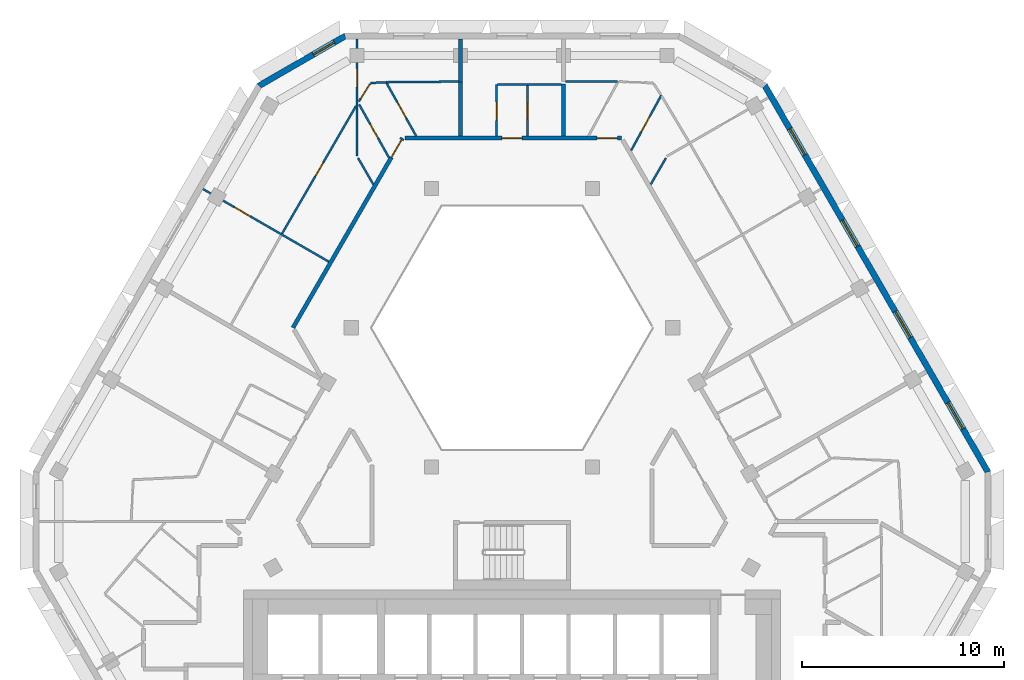
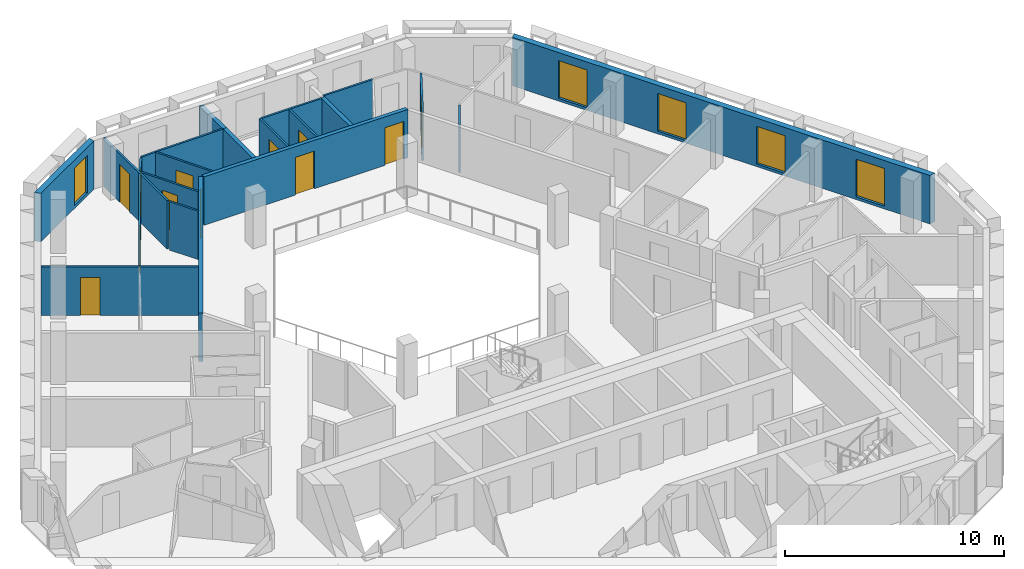
# One storey, part 7 of 15: 22 walls, 12 doors, 5 windows, 17 openings.
"""IFC4 building model written with IfcOpenShell, lengths in metres."""

from ifc_helpers import new_model, si_unit, direction, frame, frame_2d, origin, place, context, subcontext, project, spatial, polyline, rectangle, outline, extrude, material, layer, layer_set, type_object, element, fill, save


model = new_model("IFC4")

# Units and contexts
model_context = context("Model", 3, precision=1e-05, world=origin(), true_north=direction((0.0, 1.0)))
body_context = subcontext(model_context, "Body", "Model", "MODEL_VIEW")
ifc_project = project(units=[si_unit("LENGTHUNIT", "METRE"), si_unit("AREAUNIT", "SQUARE_METRE"), si_unit("VOLUMEUNIT", "CUBIC_METRE"), si_unit("PLANEANGLEUNIT", "RADIAN"), si_unit("MASSUNIT", "GRAM", prefix="KILO")], contexts=[model_context])

# Site, building, storey
site_placement = place(None, origin())
site = spatial("IfcSite", under=ifc_project, at=site_placement, CompositionType="ELEMENT")
building_placement = place(site_placement, origin())
building = spatial("IfcBuilding", under=site, at=building_placement, Name="Beryl Residences", CompositionType="ELEMENT")
storey_placement = place(building_placement, frame((0.0, 0.0, 205.800048828125)))
storey = spatial("IfcBuildingStorey", under=building, at=storey_placement, Name="L63", CompositionType="ELEMENT", Elevation=205.800048828125)

# Wall, opening, window
ifc_material_1 = material(Name="Composite metal panel with mineral wool insulation")
ifc_layer_1 = layer(ifc_material_1, 0.300048828125)
ifc_layer_set_1 = layer_set([ifc_layer_1], Name="ES1 pale metal composite panel wall 300 mm")
wall_type_1 = type_object("IfcWallType", Name="ES1 pale metal composite panel wall 300 mm", PredefinedType="SOLIDWALL", material=ifc_layer_set_1)
wall_1_placement = place(storey_placement, frame((-8.239013671875, 22.469970703125, 0.0), z_axis=(0.0, 0.0, 1.0), x_axis=(-0.866022959057, -0.500004234368, 0.0)))
wall_1 = element("IfcWall", 1, at=wall_1_placement, inside=storey, type_object=wall_type_1, Name="ES1 external wall L63 N-NW", PredefinedType="SOLIDWALL", context=body_context, shape_type="SweptSolid", body=[
    extrude(outline(polyline([(0.0, -0.14990234375), (5.0, -0.14990234375), (4.919677734375, 0.14990234375), (0.080322265625, 0.14990234375), (0.0, -0.14990234375)])), origin(), (0.0, 0.0, 1.0), 2.699951171875),
])
opening_1_placement = place(wall_1_placement, frame((0.64990234375, 0.0, 0.14990234375)))
opening_1 = element("IfcOpeningElement", 2, at=opening_1_placement, cuts=wall_1, Name="Opening W2", PredefinedType="OPENING", context=body_context, shape_type="SweptSolid", body=[
    extrude(rectangle(XDim=1.199951171875, YDim=2.10009765625, at=frame_2d((0.60009765625, 1.050048828125))), frame((0.0, 0.159912109375, 0.0), z_axis=(0.0, -1.0, 0.0), x_axis=(1.0, 0.0, 0.0)), (0.0, 0.0, 1.0), 0.320068359375),
])
ifc_material_2 = material(Name="Aluminium and clear glass", Category="aluminium")
window_type_1 = type_object("IfcWindowType", Name="W2 chamfer window 1200 x 2100 mm", PartitioningType="SINGLE_PANEL", PredefinedType="WINDOW", material=ifc_material_2)
window_1_placement = place(opening_1_placement, origin())
window_1 = element("IfcWindow", 3, at=window_1_placement, inside=storey, type_object=window_type_1, Name="W2 window L63 N-NW 1", OverallHeight=2.10009765625, OverallWidth=1.199951171875, PartitioningType="SINGLE_PANEL", PredefinedType="WINDOW", context=body_context, shape_type="SweptSolid", body=[
    extrude(rectangle(XDim=1.199951171875, YDim=2.10009765625, at=frame_2d((0.60009765625, 1.050048828125))), frame((0.0, 0.030029296875, 0.0), z_axis=(0.0, -1.0, 0.0), x_axis=(1.0, 0.0, 0.0)), (0.0, 0.0, 1.0), 0.06005859375),
])
fill(opening_1, window_1)

# Wall, openings, windows
wall_2_placement = place(storey_placement, frame((23.59912109375, 0.824951171875, 0.0), z_axis=(0.0, 0.0, 1.0), x_axis=(-0.500003656944, 0.866023292436, 0.0)))
wall_2 = element("IfcWall", 4, at=wall_2_placement, inside=storey, type_object=wall_type_1, Name="ES1 external wall L63 NE", PredefinedType="SOLIDWALL", context=body_context, shape_type="SweptSolid", body=[
    extrude(outline(polyline([(0.0, -0.14990234375), (22.170166015625, -0.14990234375), (22.08984375, 0.14990234375), (0.080322265625, 0.14990234375), (0.0, -0.14990234375)])), origin(), (0.0, 0.0, 1.0), 2.699951171875),
])
opening_2_placement = place(wall_2_placement, frame((2.4970703125, 0.0, 0.14990234375)))
opening_2 = element("IfcOpeningElement", 5, at=opening_2_placement, cuts=wall_2, Name="Opening W1", PredefinedType="OPENING", context=body_context, shape_type="SweptSolid", body=[
    extrude(rectangle(XDim=1.5, YDim=2.10009765625, at=frame_2d((0.75, 1.050048828125))), frame((0.0, 0.159912109375, 0.0), z_axis=(0.0, -1.0, 0.0), x_axis=(1.0, 0.0, 0.0)), (0.0, 0.0, 1.0), 0.320068359375),
])
opening_3_placement = place(wall_2_placement, frame((7.722900390625, 0.0, 0.14990234375)))
opening_3 = element("IfcOpeningElement", 6, at=opening_3_placement, cuts=wall_2, Name="Opening W1", PredefinedType="OPENING", context=body_context, shape_type="SweptSolid", body=[
    extrude(rectangle(XDim=1.5, YDim=2.10009765625, at=frame_2d((0.75, 1.050048828125))), frame((0.0, 0.159912109375, 0.0), z_axis=(0.0, -1.0, 0.0), x_axis=(1.0, 0.0, 0.0)), (0.0, 0.0, 1.0), 0.320068359375),
])
opening_4_placement = place(wall_2_placement, frame((12.947998046875, 0.0, 0.14990234375)))
opening_4 = element("IfcOpeningElement", 7, at=opening_4_placement, cuts=wall_2, Name="Opening W1", PredefinedType="OPENING", context=body_context, shape_type="SweptSolid", body=[
    extrude(rectangle(XDim=1.5, YDim=2.10009765625, at=frame_2d((0.75, 1.050048828125))), frame((0.0, 0.159912109375, 0.0), z_axis=(0.0, -1.0, 0.0), x_axis=(1.0, 0.0, 0.0)), (0.0, 0.0, 1.0), 0.320068359375),
])
opening_5_placement = place(wall_2_placement, frame((18.173095703125, 0.0, 0.14990234375)))
opening_5 = element("IfcOpeningElement", 8, at=opening_5_placement, cuts=wall_2, Name="Opening W1", PredefinedType="OPENING", context=body_context, shape_type="SweptSolid", body=[
    extrude(rectangle(XDim=1.5, YDim=2.10009765625, at=frame_2d((0.75, 1.050048828125))), frame((0.0, 0.159912109375, 0.0), z_axis=(0.0, -1.0, 0.0), x_axis=(1.0, 0.0, 0.0)), (0.0, 0.0, 1.0), 0.320068359375),
])
ifc_material_3 = material(Name="Aluminium and clear glass", Category="aluminium")
window_type_2 = type_object("IfcWindowType", Name="W1 cell window 1500 x 2100 mm", PartitioningType="SINGLE_PANEL", PredefinedType="WINDOW", material=ifc_material_3)
window_2_placement = place(opening_2_placement, origin())
window_2 = element("IfcWindow", 9, at=window_2_placement, inside=storey, type_object=window_type_2, Name="W1 window L63 NE 2", OverallHeight=2.10009765625, OverallWidth=1.5, PartitioningType="SINGLE_PANEL", PredefinedType="WINDOW", context=body_context, shape_type="SweptSolid", body=[
    extrude(rectangle(XDim=1.5, YDim=2.10009765625, at=frame_2d((0.75, 1.050048828125))), frame((0.0, 0.030029296875, 0.0), z_axis=(0.0, -1.0, 0.0), x_axis=(1.0, 0.0, 0.0)), (0.0, 0.0, 1.0), 0.06005859375),
])
fill(opening_2, window_2)
window_3_placement = place(opening_3_placement, origin())
window_3 = element("IfcWindow", 10, at=window_3_placement, inside=storey, type_object=window_type_2, Name="W1 window L63 NE 4", OverallHeight=2.10009765625, OverallWidth=1.5, PartitioningType="SINGLE_PANEL", PredefinedType="WINDOW", context=body_context, shape_type="SweptSolid", body=[
    extrude(rectangle(XDim=1.5, YDim=2.10009765625, at=frame_2d((0.75, 1.050048828125))), frame((0.0, 0.030029296875, 0.0), z_axis=(0.0, -1.0, 0.0), x_axis=(1.0, 0.0, 0.0)), (0.0, 0.0, 1.0), 0.06005859375),
])
fill(opening_3, window_3)
window_4_placement = place(opening_4_placement, origin())
window_4 = element("IfcWindow", 11, at=window_4_placement, inside=storey, type_object=window_type_2, Name="W1 window L63 NE 6", OverallHeight=2.10009765625, OverallWidth=1.5, PartitioningType="SINGLE_PANEL", PredefinedType="WINDOW", context=body_context, shape_type="SweptSolid", body=[
    extrude(rectangle(XDim=1.5, YDim=2.10009765625, at=frame_2d((0.75, 1.050048828125))), frame((0.0, 0.030029296875, 0.0), z_axis=(0.0, -1.0, 0.0), x_axis=(1.0, 0.0, 0.0)), (0.0, 0.0, 1.0), 0.06005859375),
])
fill(opening_4, window_4)
window_5_placement = place(opening_5_placement, origin())
window_5 = element("IfcWindow", 12, at=window_5_placement, inside=storey, type_object=window_type_2, Name="W1 window L63 NE 8", OverallHeight=2.10009765625, OverallWidth=1.5, PartitioningType="SINGLE_PANEL", PredefinedType="WINDOW", context=body_context, shape_type="SweptSolid", body=[
    extrude(rectangle(XDim=1.5, YDim=2.10009765625, at=frame_2d((0.75, 1.050048828125))), frame((0.0, 0.030029296875, 0.0), z_axis=(0.0, -1.0, 0.0), x_axis=(1.0, 0.0, 0.0)), (0.0, 0.0, 1.0), 0.06005859375),
])
fill(opening_5, window_5)

# Wall
ifc_material_4 = material(Name="Gypsum board partition on steel studs", Category="steel")
ifc_layer_2 = layer(ifc_material_4, 0.10009765625)
ifc_layer_set_2 = layer_set([ifc_layer_2], Name="PT1 partition 100 mm gypsum board on steel studs")
wall_type_2 = type_object("IfcWallType", Name="PT1 partition 100 mm gypsum board on steel studs", PredefinedType="PARTITIONING", material=ifc_layer_set_2)
wall_3_placement = place(storey_placement, frame((-7.6279296875, 16.412109375, 0.0), z_axis=(0.0, 0.0, 1.0), x_axis=(0.500159472144, -0.86593331292, 0.0)))
element("IfcWall", 13, at=wall_3_placement, inside=storey, type_object=wall_type_2, Name="Wall PT1 L63 006", PredefinedType="PARTITIONING", context=body_context, shape_type="SweptSolid", body=[
    extrude(rectangle(XDim=1.51513671875, YDim=0.10009765625, at=frame_2d((0.757568359375, 0.0))), origin(), (0.0, 0.0, 1.0), 2.699951171875),
])

# Wall, opening, door
wall_4_placement = place(storey_placement, frame((-6.2109375, 20.114990234375, 0.0), z_axis=(0.0, 0.0, 1.0), x_axis=(0.488221234931, -0.872719901092, 0.0)))
wall_4 = element("IfcWall", 14, at=wall_4_placement, inside=storey, type_object=wall_type_2, Name="Wall PT1 L63 009", PredefinedType="PARTITIONING", context=body_context, shape_type="SweptSolid", body=[
    extrude(rectangle(XDim=2.996337890625, YDim=0.10009765625, at=frame_2d((1.498046875, 0.0))), origin(), (0.0, 0.0, 1.0), 2.699951171875),
])
opening_6_placement = place(wall_4_placement, frame((1.076904296875, 0.0, 0.0)))
opening_6 = element("IfcOpeningElement", 15, at=opening_6_placement, cuts=wall_4, Name="Opening D2114", PredefinedType="OPENING", context=body_context, shape_type="SweptSolid", body=[
    extrude(rectangle(XDim=0.89990234375, YDim=2.10009765625, at=frame_2d((0.449951171875, 1.050048828125))), frame((0.0, 0.06005859375, 0.0), z_axis=(0.0, -1.0, 0.0), x_axis=(1.0, 0.0, 0.0)), (0.0, 0.0, 1.0), 0.1201171875),
])
ifc_material_5 = material(Name="Timber door leaf", Category="wood")
door_type_1 = type_object("IfcDoorType", Name="D2 room door 900 x 2100 mm", OperationType="SINGLE_SWING_LEFT", PredefinedType="DOOR", material=ifc_material_5)
door_1_placement = place(opening_6_placement, origin())
door_1 = element("IfcDoor", 16, at=door_1_placement, inside=storey, type_object=door_type_1, Name="Door D2114 L63 001", OperationType="SINGLE_SWING_RIGHT", OverallHeight=2.10009765625, OverallWidth=0.89990234375, PredefinedType="DOOR", context=body_context, shape_type="SweptSolid", body=[
    extrude(rectangle(XDim=0.89990234375, YDim=2.10009765625, at=frame_2d((0.449951171875, 1.050048828125))), frame((0.0, 0.02490234375, 0.0), z_axis=(0.0, -1.0, 0.0), x_axis=(1.0, 0.0, 0.0)), (0.0, 0.0, 1.0), 0.050048828125),
])
fill(opening_6, door_1)

wall_5_placement = place(storey_placement, frame((-7.574951171875, 19.070068359375, 0.0), z_axis=(0.0, 0.0, 1.0), x_axis=(0.488413788688, -0.872612153834, 0.0)))
wall_5 = element("IfcWall", 17, at=wall_5_placement, inside=storey, type_object=wall_type_2, Name="Wall PT1 L63 010", PredefinedType="PARTITIONING", context=body_context, shape_type="SweptSolid", body=[
    extrude(rectangle(XDim=3.019775390625, YDim=0.10009765625, at=frame_2d((1.509765625, 0.0))), origin(), (0.0, 0.0, 1.0), 2.699951171875),
])
opening_7_placement = place(wall_5_placement, frame((1.116943359375, 0.0, 0.0)))
opening_7 = element("IfcOpeningElement", 18, at=opening_7_placement, cuts=wall_5, Name="Opening D2113", PredefinedType="OPENING", context=body_context, shape_type="SweptSolid", body=[
    extrude(rectangle(XDim=0.800048828125, YDim=2.10009765625, at=frame_2d((0.39990234375, 1.050048828125))), frame((0.0, 0.06005859375, 0.0), z_axis=(0.0, -1.0, 0.0), x_axis=(1.0, 0.0, 0.0)), (0.0, 0.0, 1.0), 0.1201171875),
])
ifc_material_6 = material(Name="Timber door leaf", Category="wood")
door_type_2 = type_object("IfcDoorType", Name="D3 bathroom door 800 x 2100 mm", OperationType="SINGLE_SWING_LEFT", PredefinedType="DOOR", material=ifc_material_6)
door_2_placement = place(opening_7_placement, origin())
door_2 = element("IfcDoor", 19, at=door_2_placement, inside=storey, type_object=door_type_2, Name="Door D2113 L63 001", OperationType="SINGLE_SWING_LEFT", OverallHeight=2.10009765625, OverallWidth=0.800048828125, PredefinedType="DOOR", context=body_context, shape_type="SweptSolid", body=[
    extrude(rectangle(XDim=0.800048828125, YDim=2.10009765625, at=frame_2d((0.39990234375, 1.050048828125))), frame((0.0, 0.02490234375, 0.0), z_axis=(0.0, -1.0, 0.0), x_axis=(1.0, 0.0, 0.0)), (0.0, 0.0, 1.0), 0.050048828125),
])
fill(opening_7, door_2)

wall_6_placement = place(storey_placement, frame((-15.31396484375, 14.875, 0.0), z_axis=(0.0, 0.0, 1.0), x_axis=(0.866001485781, -0.500041424909, 0.0)))
wall_6 = element("IfcWall", 20, at=wall_6_placement, inside=storey, type_object=wall_type_2, Name="Wall PT1 L63 018", PredefinedType="PARTITIONING", context=body_context, shape_type="SweptSolid", body=[
    extrude(rectangle(XDim=7.19970703125, YDim=0.10009765625, at=frame_2d((3.599853515625, 0.0))), origin(), (0.0, 0.0, 1.0), 2.699951171875),
])
opening_8_placement = place(wall_6_placement, frame((1.800048828125, 0.0, 0.0)))
opening_8 = element("IfcOpeningElement", 21, at=opening_8_placement, cuts=wall_6, Name="Opening D2117", PredefinedType="OPENING", context=body_context, shape_type="SweptSolid", body=[
    extrude(rectangle(XDim=0.89990234375, YDim=2.10009765625, at=frame_2d((0.449951171875, 1.050048828125))), frame((0.0, 0.06005859375, 0.0), z_axis=(0.0, -1.0, 0.0), x_axis=(1.0, 0.0, 0.0)), (0.0, 0.0, 1.0), 0.1201171875),
])
door_3_placement = place(opening_8_placement, origin())
door_3 = element("IfcDoor", 22, at=door_3_placement, inside=storey, type_object=door_type_1, Name="Door D2117 L63 001", OperationType="SINGLE_SWING_LEFT", OverallHeight=2.10009765625, OverallWidth=0.89990234375, PredefinedType="DOOR", context=body_context, shape_type="SweptSolid", body=[
    extrude(rectangle(XDim=0.89990234375, YDim=2.10009765625, at=frame_2d((0.449951171875, 1.050048828125))), frame((0.0, 0.02490234375, 0.0), z_axis=(0.0, -1.0, 0.0), x_axis=(1.0, 0.0, 0.0)), (0.0, 0.0, 1.0), 0.050048828125),
])
fill(opening_8, door_3)

# Walls
wall_7_placement = place(storey_placement, frame((-0.716064453125, 20.06005859375, 0.0), z_axis=(0.0, 0.0, 1.0), x_axis=(1.0, 0.0, 0.0)))
element("IfcWall", 23, at=wall_7_placement, inside=storey, type_object=wall_type_2, Name="Wall PT1 L63 023", PredefinedType="PARTITIONING", context=body_context, shape_type="SweptSolid", body=[
    extrude(rectangle(XDim=3.176025390625, YDim=0.10009765625, at=frame_2d((1.587890625, 0.0))), origin(), (0.0, 0.0, 1.0), 2.699951171875),
])
wall_8_placement = place(storey_placement, frame((2.659912109375, 20.199951171875, 0.0), z_axis=(0.0, 0.0, 1.0), x_axis=(1.0, 0.0, 0.0)))
element("IfcWall", 24, at=wall_8_placement, inside=storey, type_object=wall_type_2, Name="Wall PT1 L63 024", PredefinedType="PARTITIONING", context=body_context, shape_type="SweptSolid", body=[
    extrude(rectangle(XDim=2.564208984375, YDim=0.10009765625, at=frame_2d((1.2822265625, 0.0))), origin(), (0.0, 0.0, 1.0), 2.699951171875),
])
wall_9_placement = place(storey_placement, frame((-6.259033203125, 20.1640625, 0.0), z_axis=(0.0, 0.0, 1.0), x_axis=(0.999952982126, 0.009697089139, 0.0)))
element("IfcWall", 25, at=wall_9_placement, inside=storey, type_object=wall_type_2, Name="Wall PT1 L63 025", PredefinedType="PARTITIONING", context=body_context, shape_type="SweptSolid", body=[
    extrude(rectangle(XDim=3.600341796875, YDim=0.10009765625, at=frame_2d((1.80029296875, 0.0))), origin(), (0.0, 0.0, 1.0), 2.699951171875),
])

# Wall, opening, door
wall_10_placement = place(storey_placement, frame((-7.5869140625, 19.218017578125, 0.0), z_axis=(0.0, 0.0, 1.0), x_axis=(0.54066090195, 0.841240624972, 0.0)))
wall_10 = element("IfcWall", 26, at=wall_10_placement, inside=storey, type_object=wall_type_2, Name="Wall PT1 L63 027", PredefinedType="PARTITIONING", context=body_context, shape_type="SweptSolid", body=[
    extrude(rectangle(XDim=1.02099609375, YDim=0.10009765625, at=frame_2d((0.510498046875, 0.0))), origin(), (0.0, 0.0, 1.0), 2.699951171875),
])
opening_9_placement = place(wall_10_placement, frame((0.180908203125, 0.0, 0.0)))
opening_9 = element("IfcOpeningElement", 27, at=opening_9_placement, cuts=wall_10, Name="Opening D2115", PredefinedType="OPENING", context=body_context, shape_type="SweptSolid", body=[
    extrude(rectangle(XDim=0.800048828125, YDim=2.10009765625, at=frame_2d((0.39990234375, 1.050048828125))), frame((0.0, 0.06005859375, 0.0), z_axis=(0.0, -1.0, 0.0), x_axis=(1.0, 0.0, 0.0)), (0.0, 0.0, 1.0), 0.1201171875),
])
ifc_material_7 = material(Name="Timber door leaf", Category="wood")
door_type_3 = type_object("IfcDoorType", Name="D13 room door 800 x 2100 mm", OperationType="SINGLE_SWING_LEFT", PredefinedType="DOOR", material=ifc_material_7)
door_4_placement = place(opening_9_placement, origin())
door_4 = element("IfcDoor", 28, at=door_4_placement, inside=storey, type_object=door_type_3, Name="Door D2115 L63 001", OperationType="SINGLE_SWING_LEFT", OverallHeight=2.10009765625, OverallWidth=0.800048828125, PredefinedType="DOOR", context=body_context, shape_type="SweptSolid", body=[
    extrude(rectangle(XDim=0.800048828125, YDim=2.10009765625, at=frame_2d((0.39990234375, 1.050048828125))), frame((0.0, 0.02490234375, 0.0), z_axis=(0.0, -1.0, 0.0), x_axis=(1.0, 0.0, 0.0)), (0.0, 0.0, 1.0), 0.050048828125),
])
fill(opening_9, door_4)

# Wall
wall_11_placement = place(storey_placement, frame((6.87109375, 15.10009765625, 0.0), z_axis=(0.0, 0.0, 1.0), x_axis=(0.499805980977, 0.866137391745, 0.0)))
element("IfcWall", 29, at=wall_11_placement, inside=storey, type_object=wall_type_2, Name="Wall PT1 L63 029", PredefinedType="PARTITIONING", context=body_context, shape_type="SweptSolid", body=[
    extrude(rectangle(XDim=1.51806640625, YDim=0.10009765625, at=frame_2d((0.759033203125, 0.0))), origin(), (0.0, 0.0, 1.0), 2.699951171875),
])

# Wall, opening, door
wall_12_placement = place(storey_placement, frame((-11.39208984375, 12.66796875, 0.0), z_axis=(0.0, 0.0, 1.0), x_axis=(0.501440551074, 0.865192102217, 0.0)))
wall_12 = element("IfcWall", 30, at=wall_12_placement, inside=storey, type_object=wall_type_2, Name="Wall PT1 L63 030", PredefinedType="PARTITIONING", context=body_context, shape_type="SweptSolid", body=[
    extrude(rectangle(XDim=7.30712890625, YDim=0.10009765625, at=frame_2d((3.653564453125, 0.0))), origin(), (0.0, 0.0, 1.0), 2.699951171875),
])
opening_10_placement = place(wall_12_placement, frame((3.278076171875, 0.0, 0.0)))
opening_10 = element("IfcOpeningElement", 31, at=opening_10_placement, cuts=wall_12, Name="Opening D2118", PredefinedType="OPENING", context=body_context, shape_type="SweptSolid", body=[
    extrude(rectangle(XDim=0.800048828125, YDim=2.10009765625, at=frame_2d((0.39990234375, 1.050048828125))), frame((0.0, 0.06005859375, 0.0), z_axis=(0.0, -1.0, 0.0), x_axis=(1.0, 0.0, 0.0)), (0.0, 0.0, 1.0), 0.1201171875),
])
door_5_placement = place(opening_10_placement, origin())
door_5 = element("IfcDoor", 32, at=door_5_placement, inside=storey, type_object=door_type_2, Name="Door D2118 L63 001", OperationType="SINGLE_SWING_RIGHT", OverallHeight=2.10009765625, OverallWidth=0.800048828125, PredefinedType="DOOR", context=body_context, shape_type="SweptSolid", body=[
    extrude(rectangle(XDim=0.800048828125, YDim=2.10009765625, at=frame_2d((0.39990234375, 1.050048828125))), frame((0.0, 0.02490234375, 0.0), z_axis=(0.0, -1.0, 0.0), x_axis=(1.0, 0.0, 0.0)), (0.0, 0.0, 1.0), 0.050048828125),
])
fill(opening_10, door_5)

wall_13_placement = place(storey_placement, frame((5.90087890625, 16.780029296875, 0.0), z_axis=(0.0, 0.0, 1.0), x_axis=(0.479148317257, 0.877733951759, 0.0)))
wall_13 = element("IfcWall", 33, at=wall_13_placement, inside=storey, type_object=wall_type_2, Name="Wall PT1 L63 033", PredefinedType="PARTITIONING", context=body_context, shape_type="SweptSolid", body=[
    extrude(rectangle(XDim=3.118408203125, YDim=0.10009765625, at=frame_2d((1.55908203125, 0.0))), origin(), (0.0, 0.0, 1.0), 2.699951171875),
])
opening_11_placement = place(wall_13_placement, frame((1.051025390625, 0.0, 0.0)))
opening_11 = element("IfcOpeningElement", 34, at=opening_11_placement, cuts=wall_13, Name="Opening D2102", PredefinedType="OPENING", context=body_context, shape_type="SweptSolid", body=[
    extrude(rectangle(XDim=0.89990234375, YDim=2.10009765625, at=frame_2d((0.449951171875, 1.050048828125))), frame((0.0, 0.06005859375, 0.0), z_axis=(0.0, -1.0, 0.0), x_axis=(1.0, 0.0, 0.0)), (0.0, 0.0, 1.0), 0.1201171875),
])
door_6_placement = place(opening_11_placement, origin())
door_6 = element("IfcDoor", 35, at=door_6_placement, inside=storey, type_object=door_type_1, Name="Door D2102 L63 001", OperationType="SINGLE_SWING_RIGHT", OverallHeight=2.10009765625, OverallWidth=0.89990234375, PredefinedType="DOOR", context=body_context, shape_type="SweptSolid", body=[
    extrude(rectangle(XDim=0.89990234375, YDim=2.10009765625, at=frame_2d((0.449951171875, 1.050048828125))), frame((0.0, 0.02490234375, 0.0), z_axis=(0.0, -1.0, 0.0), x_axis=(1.0, 0.0, 0.0)), (0.0, 0.0, 1.0), 0.050048828125),
])
fill(opening_11, door_6)

wall_14_placement = place(storey_placement, frame((0.76806640625, 17.5, 0.0), z_axis=(0.0, 0.0, 1.0), x_axis=(0.0, 1.0, 0.0)))
wall_14 = element("IfcWall", 36, at=wall_14_placement, inside=storey, type_object=wall_type_2, Name="Wall PT1 L63 037", PredefinedType="PARTITIONING", context=body_context, shape_type="SweptSolid", body=[
    extrude(rectangle(XDim=2.510009765625, YDim=0.10009765625, at=frame_2d((1.2548828125, 0.0))), origin(), (0.0, 0.0, 1.0), 2.699951171875),
])
opening_12_placement = place(wall_14_placement, frame((0.830078125, 0.0, 0.0)))
opening_12 = element("IfcOpeningElement", 37, at=opening_12_placement, cuts=wall_14, Name="Opening D2111", PredefinedType="OPENING", context=body_context, shape_type="SweptSolid", body=[
    extrude(rectangle(XDim=0.800048828125, YDim=2.10009765625, at=frame_2d((0.39990234375, 1.050048828125))), frame((0.0, 0.06005859375, 0.0), z_axis=(0.0, -1.0, 0.0), x_axis=(1.0, 0.0, 0.0)), (0.0, 0.0, 1.0), 0.1201171875),
])
door_7_placement = place(opening_12_placement, origin())
door_7 = element("IfcDoor", 38, at=door_7_placement, inside=storey, type_object=door_type_2, Name="Door D2111 L63 001", OperationType="SINGLE_SWING_LEFT", OverallHeight=2.10009765625, OverallWidth=0.800048828125, PredefinedType="DOOR", context=body_context, shape_type="SweptSolid", body=[
    extrude(rectangle(XDim=0.800048828125, YDim=2.10009765625, at=frame_2d((0.39990234375, 1.050048828125))), frame((0.0, 0.02490234375, 0.0), z_axis=(0.0, -1.0, 0.0), x_axis=(1.0, 0.0, 0.0)), (0.0, 0.0, 1.0), 0.050048828125),
])
fill(opening_12, door_7)

wall_15_placement = place(storey_placement, frame((-7.677978515625, 16.4990234375, 0.0), z_axis=(0.0, 0.0, 1.0), x_axis=(0.0, 1.0, 0.0)))
wall_15 = element("IfcWall", 39, at=wall_15_placement, inside=storey, type_object=wall_type_2, Name="Wall PT1 L63 039", PredefinedType="PARTITIONING", context=body_context, shape_type="SweptSolid", body=[
    extrude(rectangle(XDim=5.801025390625, YDim=0.10009765625, at=frame_2d((2.900390625, 0.0))), origin(), (0.0, 0.0, 1.0), 2.699951171875),
])
opening_13_placement = place(wall_15_placement, frame((3.43994140625, 0.0, 0.0)))
opening_13 = element("IfcOpeningElement", 40, at=opening_13_placement, cuts=wall_15, Name="Opening D2116", PredefinedType="OPENING", context=body_context, shape_type="SweptSolid", body=[
    extrude(rectangle(XDim=0.89990234375, YDim=2.10009765625, at=frame_2d((0.449951171875, 1.050048828125))), frame((0.0, 0.06005859375, 0.0), z_axis=(0.0, -1.0, 0.0), x_axis=(1.0, 0.0, 0.0)), (0.0, 0.0, 1.0), 0.1201171875),
])
door_8_placement = place(opening_13_placement, origin())
door_8 = element("IfcDoor", 41, at=door_8_placement, inside=storey, type_object=door_type_1, Name="Door D2116 L63 001", OperationType="SINGLE_SWING_RIGHT", OverallHeight=2.10009765625, OverallWidth=0.89990234375, PredefinedType="DOOR", context=body_context, shape_type="SweptSolid", body=[
    extrude(rectangle(XDim=0.89990234375, YDim=2.10009765625, at=frame_2d((0.449951171875, 1.050048828125))), frame((0.0, 0.02490234375, 0.0), z_axis=(0.0, -1.0, 0.0), x_axis=(1.0, 0.0, 0.0)), (0.0, 0.0, 1.0), 0.050048828125),
])
fill(opening_13, door_8)

wall_16_placement = place(storey_placement, frame((-0.76708984375, 17.5, 0.0), z_axis=(0.0, 0.0, 1.0), x_axis=(0.0, 1.0, 0.0)))
wall_16 = element("IfcWall", 42, at=wall_16_placement, inside=storey, type_object=wall_type_2, Name="Wall PT1 L63 040", PredefinedType="PARTITIONING", context=body_context, shape_type="SweptSolid", body=[
    extrude(rectangle(XDim=2.55908203125, YDim=0.10009765625, at=frame_2d((1.279541015625, 0.0))), origin(), (0.0, 0.0, 1.0), 2.699951171875),
])
opening_14_placement = place(wall_16_placement, frame((0.780029296875, 0.0, 0.0)))
opening_14 = element("IfcOpeningElement", 43, at=opening_14_placement, cuts=wall_16, Name="Opening D2110", PredefinedType="OPENING", context=body_context, shape_type="SweptSolid", body=[
    extrude(rectangle(XDim=0.89990234375, YDim=2.10009765625, at=frame_2d((0.449951171875, 1.050048828125))), frame((0.0, 0.06005859375, 0.0), z_axis=(0.0, -1.0, 0.0), x_axis=(1.0, 0.0, 0.0)), (0.0, 0.0, 1.0), 0.1201171875),
])
door_9_placement = place(opening_14_placement, origin())
door_9 = element("IfcDoor", 44, at=door_9_placement, inside=storey, type_object=door_type_1, Name="Door D2110 L63 001", OperationType="SINGLE_SWING_RIGHT", OverallHeight=2.10009765625, OverallWidth=0.89990234375, PredefinedType="DOOR", context=body_context, shape_type="SweptSolid", body=[
    extrude(rectangle(XDim=0.89990234375, YDim=2.10009765625, at=frame_2d((0.449951171875, 1.050048828125))), frame((0.0, 0.02490234375, 0.0), z_axis=(0.0, -1.0, 0.0), x_axis=(1.0, 0.0, 0.0)), (0.0, 0.0, 1.0), 0.050048828125),
])
fill(opening_14, door_9)

# Walls
wall_17_placement = place(storey_placement, frame((-7.001953125, 20.1279296875, 0.0), z_axis=(0.0, 0.0, 1.0), x_axis=(0.998824855741, 0.048465529548, 0.0)))
element("IfcWall", 45, at=wall_17_placement, inside=storey, type_object=wall_type_2, Name="Wall PT1 L63 041", PredefinedType="PARTITIONING", context=body_context, shape_type="SweptSolid", body=[
    extrude(rectangle(XDim=0.785888671875, YDim=0.10009765625, at=frame_2d((0.39306640625, 0.0))), origin(), (0.0, 0.0, 1.0), 2.699951171875),
])
ifc_material_8 = material(Name="Acoustic double stud gypsum board wall")
ifc_layer_3 = layer(ifc_material_8, 0.199951171875)
ifc_layer_set_3 = layer_set([ifc_layer_3], Name="PT3 party wall 200 mm acoustic double stud")
wall_type_3 = type_object("IfcWallType", Name="PT3 party wall 200 mm acoustic double stud", PredefinedType="PARTITIONING", material=ifc_layer_set_3)
wall_18_placement = place(storey_placement, frame((-2.55908203125, 20.219970703125, 0.0), z_axis=(0.0, 0.0, 1.0), x_axis=(0.0, -1.0, 0.0)))
element("IfcWall", 46, at=wall_18_placement, inside=storey, type_object=wall_type_3, Name="Wall PT3 L63 002", PredefinedType="PARTITIONING", context=body_context, shape_type="SweptSolid", body=[
    extrude(rectangle(XDim=2.719970703125, YDim=0.199951171875, at=frame_2d((1.35986328125, 0.0))), origin(), (0.0, 0.0, 1.0), 2.699951171875),
])
wall_19_placement = place(storey_placement, frame((2.56005859375, 20.080078125, 0.0), z_axis=(0.0, 0.0, 1.0), x_axis=(0.0, -1.0, 0.0)))
element("IfcWall", 47, at=wall_19_placement, inside=storey, type_object=wall_type_3, Name="Wall PT3 L63 003", PredefinedType="PARTITIONING", context=body_context, shape_type="SweptSolid", body=[
    extrude(rectangle(XDim=2.580078125, YDim=0.199951171875, at=frame_2d((1.2900390625, 0.0))), origin(), (0.0, 0.0, 1.0), 2.699951171875),
])
wall_20_placement = place(storey_placement, frame((-2.55908203125, 20.179931640625, 0.0), z_axis=(0.0, 0.0, 1.0), x_axis=(0.0, 1.0, 0.0)))
element("IfcWall", 48, at=wall_20_placement, inside=storey, type_object=wall_type_3, Name="Wall PT3 L63 015", PredefinedType="PARTITIONING", context=body_context, shape_type="SweptSolid", body=[
    extrude(rectangle(XDim=2.1201171875, YDim=0.199951171875, at=frame_2d((1.06005859375, 0.0))), origin(), (0.0, 0.0, 1.0), 2.699951171875),
])

# Wall, openings, doors
ifc_material_9 = material(Name="Double stud gypsum board wall")
ifc_layer_4 = layer(ifc_material_9, 0.199951171875)
ifc_layer_set_4 = layer_set([ifc_layer_4], Name="PT4 corridor wall 200 mm double stud")
wall_type_4 = type_object("IfcWallType", Name="PT4 corridor wall 200 mm double stud", PredefinedType="PARTITIONING", material=ifc_layer_set_4)
wall_21_placement = place(storey_placement, frame((-5.31201171875, 17.39990234375, 0.0), z_axis=(0.0, 0.0, 1.0), x_axis=(1.0, 0.0, 0.0)))
wall_21 = element("IfcWall", 49, at=wall_21_placement, inside=storey, type_object=wall_type_4, Name="Wall PT4 L63 017", PredefinedType="PARTITIONING", context=body_context, shape_type="SweptSolid", body=[
    extrude(rectangle(XDim=10.739013671875, YDim=0.199951171875, at=frame_2d((5.36962890625, 0.0))), origin(), (0.0, 0.0, 1.0), 2.699951171875),
])
opening_15_placement = place(wall_21_placement, frame((9.533935546875, 0.0, 0.0)))
opening_15 = element("IfcOpeningElement", 50, at=opening_15_placement, cuts=wall_21, Name="Opening D2101", PredefinedType="OPENING", context=body_context, shape_type="SweptSolid", body=[
    extrude(rectangle(XDim=1.0, YDim=2.10009765625, at=frame_2d((0.5, 1.050048828125))), frame((0.0, 0.10986328125, 0.0), z_axis=(0.0, -1.0, 0.0), x_axis=(1.0, 0.0, 0.0)), (0.0, 0.0, 1.0), 0.219970703125),
])
opening_16_placement = place(wall_21_placement, frame((4.81201171875, 0.0, 0.0)))
opening_16 = element("IfcOpeningElement", 51, at=opening_16_placement, cuts=wall_21, Name="Opening D2109", PredefinedType="OPENING", context=body_context, shape_type="SweptSolid", body=[
    extrude(rectangle(XDim=1.0, YDim=2.10009765625, at=frame_2d((0.5, 1.050048828125))), frame((0.0, 0.10986328125, 0.0), z_axis=(0.0, -1.0, 0.0), x_axis=(1.0, 0.0, 0.0)), (0.0, 0.0, 1.0), 0.219970703125),
])
ifc_material_10 = material(Name="Timber door leaf", Category="wood")
door_type_4 = type_object("IfcDoorType", Name="D1 flat entrance door 1000 x 2100 mm", OperationType="SINGLE_SWING_LEFT", PredefinedType="DOOR", material=ifc_material_10)
door_10_placement = place(opening_15_placement, origin())
door_10 = element("IfcDoor", 52, at=door_10_placement, inside=storey, type_object=door_type_4, Name="Door D2101 L63 001", OperationType="SINGLE_SWING_LEFT", OverallHeight=2.10009765625, OverallWidth=1.0, PredefinedType="DOOR", context=body_context, shape_type="SweptSolid", body=[
    extrude(rectangle(XDim=1.0, YDim=2.10009765625, at=frame_2d((0.5, 1.050048828125))), frame((0.0, 0.02490234375, 0.0), z_axis=(0.0, -1.0, 0.0), x_axis=(1.0, 0.0, 0.0)), (0.0, 0.0, 1.0), 0.050048828125),
])
fill(opening_15, door_10)
door_11_placement = place(opening_16_placement, origin())
door_11 = element("IfcDoor", 53, at=door_11_placement, inside=storey, type_object=door_type_4, Name="Door D2109 L63 001", OperationType="SINGLE_SWING_LEFT", OverallHeight=2.10009765625, OverallWidth=1.0, PredefinedType="DOOR", context=body_context, shape_type="SweptSolid", body=[
    extrude(rectangle(XDim=1.0, YDim=2.10009765625, at=frame_2d((0.5, 1.050048828125))), frame((0.0, 0.02490234375, 0.0), z_axis=(0.0, -1.0, 0.0), x_axis=(1.0, 0.0, 0.0)), (0.0, 0.0, 1.0), 0.050048828125),
])
fill(opening_16, door_11)

# Wall, opening, door
wall_22_placement = place(storey_placement, frame((-10.85400390625, 8.0, 0.0), z_axis=(0.0, 0.0, 1.0), x_axis=(0.499997637144, 0.866026767976, 0.0)))
wall_22 = element("IfcWall", 54, at=wall_22_placement, inside=storey, type_object=wall_type_4, Name="Wall PT4 L63 025", PredefinedType="PARTITIONING", context=body_context, shape_type="SweptSolid", body=[
    extrude(rectangle(XDim=10.85400390625, YDim=0.199951171875, at=frame_2d((5.427001953125, 0.0))), origin(), (0.0, 0.0, 1.0), 2.699951171875),
])
opening_17_placement = place(wall_22_placement, frame((9.75390625, 0.0, 0.0)))
opening_17 = element("IfcOpeningElement", 55, at=opening_17_placement, cuts=wall_22, Name="Opening D2112", PredefinedType="OPENING", context=body_context, shape_type="SweptSolid", body=[
    extrude(rectangle(XDim=1.0, YDim=2.10009765625, at=frame_2d((0.5, 1.050048828125))), frame((0.0, 0.10986328125, 0.0), z_axis=(0.0, -1.0, 0.0), x_axis=(1.0, 0.0, 0.0)), (0.0, 0.0, 1.0), 0.219970703125),
])
door_12_placement = place(opening_17_placement, origin())
door_12 = element("IfcDoor", 56, at=door_12_placement, inside=storey, type_object=door_type_4, Name="Door D2112 L63 001", OperationType="SINGLE_SWING_RIGHT", OverallHeight=2.10009765625, OverallWidth=1.0, PredefinedType="DOOR", context=body_context, shape_type="SweptSolid", body=[
    extrude(rectangle(XDim=1.0, YDim=2.10009765625, at=frame_2d((0.5, 1.050048828125))), frame((0.0, 0.02490234375, 0.0), z_axis=(0.0, -1.0, 0.0), x_axis=(1.0, 0.0, 0.0)), (0.0, 0.0, 1.0), 0.050048828125),
])
fill(opening_17, door_12)

save(model, "model.ifc")
